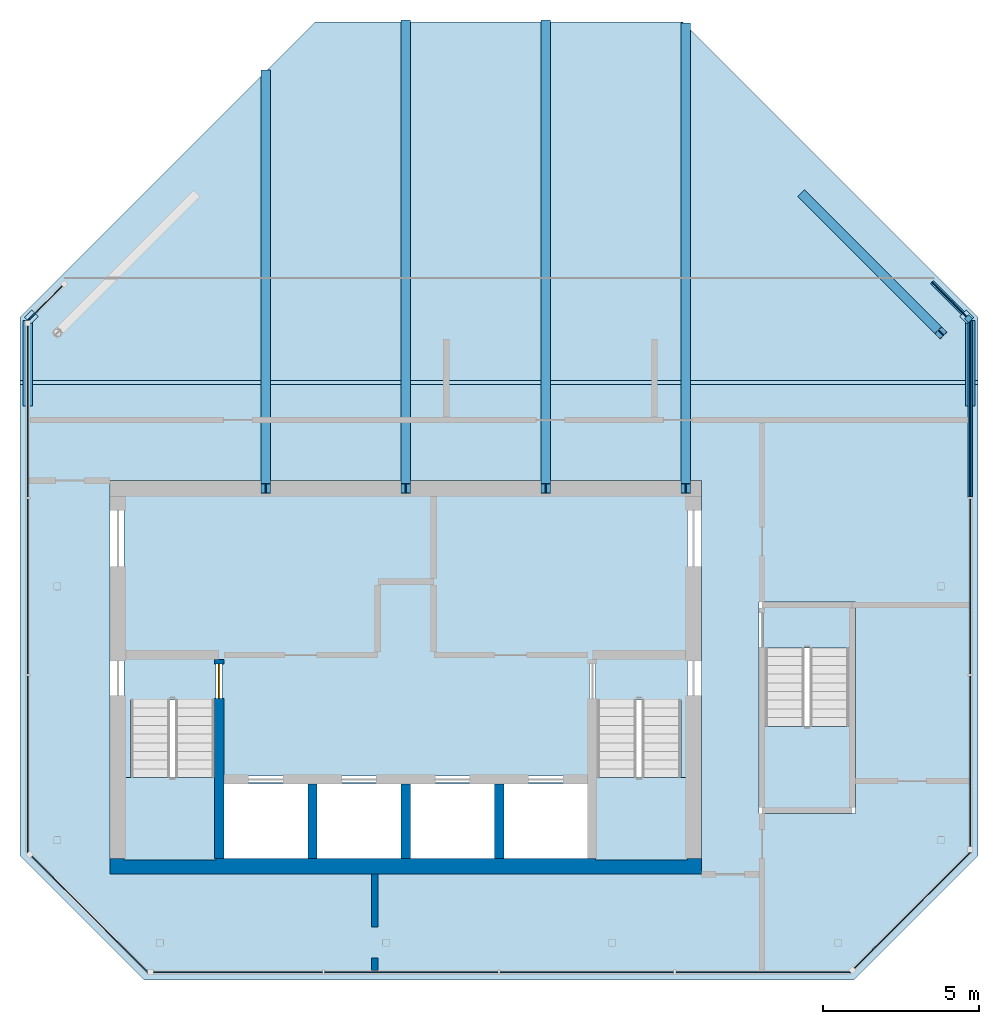
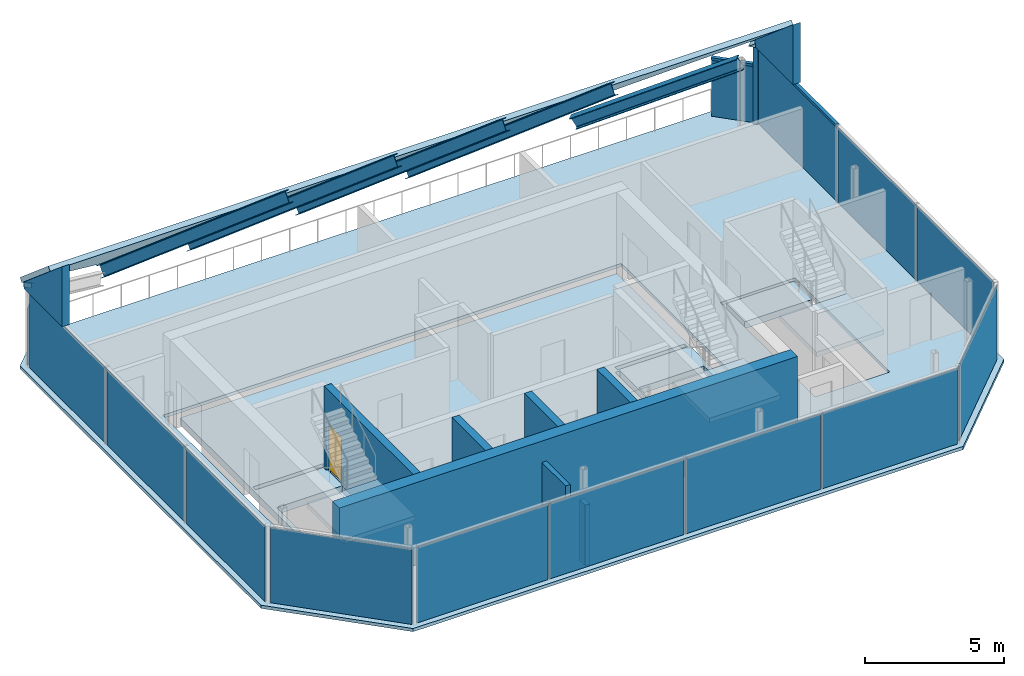
# One storey, part 2 of 5: 18 plates, 7 members, 7 slabs, 7 walls, 1 beam, 1 door, 1 opening, 10 elements without a shape of their own.
"""IFC4 building model written with IfcOpenShell, lengths in metres."""

import ifcopenshell
import ifcopenshell.guid

model = None  # the IFC model being written
_history = None  # IfcOwnerHistory: only IFC2X3 demands one
_inside = {}  # id of a spatial element -> (the spatial element, [elements in it])
_under = {}  # id of a project, library or spatial element -> (it, [spatial elements below it])
_declared = {}  # id of a project -> (the project, [libraries it declares])
_typed = {}  # id of a type object -> (the type object, [elements of that type])
_made_of = {}  # id of a material, layer set ... -> (it, [elements and type objects made of it])


def new_model(schema):
    """Start an empty IFC model of exactly this schema.

    Asked for "IFC4X3", IfcOpenShell would pick the latest addendum, in which some entities
    have other attributes; the version numbers below select the first issue.
    IFC2X3 requires an IfcOwnerHistory on every rooted entity: one is made here for all.
    """
    global model, _history
    if schema == "IFC4X3":
        model = ifcopenshell.file(schema_version=(4, 3, 0, 0))
    else:
        model = ifcopenshell.file(schema=schema)
    _inside.clear()
    _under.clear()
    _declared.clear()
    _typed.clear()
    _made_of.clear()
    _history = None
    if model.schema == "IFC2X3":
        org = make("IfcOrganization", Name="unknown")
        user = make(
            "IfcPersonAndOrganization",
            ThePerson=make("IfcPerson", FamilyName="unknown"),
            TheOrganization=org,
        )
        app = make(
            "IfcApplication",
            ApplicationDeveloper=org,
            Version="unknown",
            ApplicationFullName="unknown",
            ApplicationIdentifier="unknown",
        )
        _history = make(
            "IfcOwnerHistory",
            OwningUser=user,
            OwningApplication=app,
            ChangeAction="ADDED",
            CreationDate=0,
        )
    return model


def make(cls, **values):
    """One entity of the class cls with the attributes given. An attribute that is None is left unset."""
    return model.create_entity(
        cls, **{name: value for name, value in values.items() if value is not None}
    )


def rooted(cls, **values):
    """An entity with a GlobalId (a new one), such as an element, a storey or a relation."""
    return make(cls, GlobalId=ifcopenshell.guid.new(), OwnerHistory=_history, **values)


def si_unit(unit_type, name, prefix=None):
    """IfcSIUnit, for example si_unit("LENGTHUNIT", "METRE", prefix="MILLI")."""
    return make("IfcSIUnit", UnitType=unit_type, Prefix=prefix, Name=name)


def assignment(units):
    """IfcUnitAssignment: the units of a project."""
    return None if units is None else make("IfcUnitAssignment", Units=units)


def point(xyz):
    """IfcCartesianPoint."""
    return None if xyz is None else make("IfcCartesianPoint", Coordinates=xyz)


def direction(xyz):
    """IfcDirection."""
    return None if xyz is None else make("IfcDirection", DirectionRatios=xyz)


def frame(location, z_axis=None, x_axis=None):
    """IfcAxis2Placement3D, a coordinate frame: its origin and axes. An axis left out is left unset."""
    return make(
        "IfcAxis2Placement3D",
        Location=point(location),
        Axis=direction(z_axis),
        RefDirection=direction(x_axis),
    )


def frame_2d(location, x_axis=None):
    """IfcAxis2Placement2D, a coordinate frame in the plane: its origin and x axis."""
    return make(
        "IfcAxis2Placement2D", Location=point(location), RefDirection=direction(x_axis)
    )


def origin():
    """The frame at (0, 0, 0) with its axes left unset."""
    return frame((0.0, 0.0, 0.0))


def origin_2d():
    """The frame at (0, 0) in the plane with its x axis left unset."""
    return frame_2d((0.0, 0.0))


def place(relative_to, where):
    """IfcLocalPlacement: puts the frame where relative to a parent placement (None: the world)."""
    return make(
        "IfcLocalPlacement", PlacementRelTo=relative_to, RelativePlacement=where
    )


def context(
    kind, dimensions, precision=None, world=None, true_north=None, identifier=None
):
    """IfcGeometricRepresentationContext, for example the 3D "Model" context."""
    return make(
        "IfcGeometricRepresentationContext",
        ContextIdentifier=identifier,
        ContextType=kind,
        CoordinateSpaceDimension=dimensions,
        Precision=precision,
        WorldCoordinateSystem=world,
        TrueNorth=true_north,
    )


def subcontext(parent, identifier, kind, view, scale=None):
    """IfcGeometricRepresentationSubContext, for example "Body" below "Model"."""
    return make(
        "IfcGeometricRepresentationSubContext",
        ContextIdentifier=identifier,
        ContextType=kind,
        ParentContext=parent,
        TargetScale=scale,
        TargetView=view,
    )


def project(units=None, contexts=None):
    """IfcProject with its units and contexts."""
    return rooted(
        "IfcProject",
        Name="project",
        RepresentationContexts=contexts,
        UnitsInContext=assignment(units),
    )


def spatial(cls, under=None, at=None, **own):
    """A site, building, storey or space (cls), placed at a placement, below another one or the project."""
    s = rooted(cls, ObjectPlacement=at, **own)
    if under is not None:
        _under.setdefault(under.id(), (under, []))[1].append(s)
    return s


def polyline(points):
    """IfcPolyline through the points."""
    return make("IfcPolyline", Points=[point(p) for p in points])


def profile(cls, at=None, kind="AREA", **sizes):
    """A parametric profile (cls). Its sizes go by their IFC names, for example OverallWidth=200.0."""
    return make(cls, ProfileType=kind, Position=at, **sizes)


def rectangle(**sizes):
    """IfcRectangleProfileDef."""
    return profile("IfcRectangleProfileDef", **sizes)


def i_section(**sizes):
    """IfcIShapeProfileDef."""
    return profile("IfcIShapeProfileDef", **sizes)


def outline(outer, holes=None, kind="AREA"):
    """IfcArbitraryClosedProfileDef: a profile drawn as a closed curve; with holes, ...WithVoids."""
    if holes is None:
        return make("IfcArbitraryClosedProfileDef", ProfileType=kind, OuterCurve=outer)
    return make(
        "IfcArbitraryProfileDefWithVoids",
        ProfileType=kind,
        OuterCurve=outer,
        InnerCurves=holes,
    )


def extrude(swept, where, along, depth):
    """IfcExtrudedAreaSolid: the profile swept, set in the frame where, extruded along a direction by depth."""
    return make(
        "IfcExtrudedAreaSolid",
        SweptArea=swept,
        Position=where,
        ExtrudedDirection=direction(along),
        Depth=depth,
    )


def shape(context_of_items, identifier, shape_type, items):
    """IfcShapeRepresentation: the items that make up one representation, for example the "Body"."""
    return make(
        "IfcShapeRepresentation",
        ContextOfItems=context_of_items,
        RepresentationIdentifier=identifier,
        RepresentationType=shape_type,
        Items=items,
    )


def material(Name=None, Category=None):
    """IfcMaterial."""
    return make("IfcMaterial", Name=Name, Category=Category)


def layer(
    of_material, thickness, ventilated=None, Name=None, Category=None, Priority=None
):
    """IfcMaterialLayer: one layer of a wall or slab, of a material (None: an air gap)."""
    return make(
        "IfcMaterialLayer",
        Material=of_material,
        LayerThickness=thickness,
        IsVentilated=ventilated,
        Name=Name,
        Category=Category,
        Priority=Priority,
    )


def layer_set(layers, Name=None):
    """IfcMaterialLayerSet."""
    return make("IfcMaterialLayerSet", MaterialLayers=layers, LayerSetName=Name)


def material_profile(
    of_material, cross_section, Name=None, Category=None, Priority=None
):
    """IfcMaterialProfile: a cross section and its material."""
    return make(
        "IfcMaterialProfile",
        Name=Name,
        Material=of_material,
        Profile=cross_section,
        Priority=Priority,
        Category=Category,
    )


def profile_set(profiles, Name=None, composite=None):
    """IfcMaterialProfileSet."""
    return make(
        "IfcMaterialProfileSet",
        Name=Name,
        MaterialProfiles=profiles,
        CompositeProfile=composite,
    )


def made_of(thing, what):
    """Note that an element or type object is made of a material, layer set ...; save() writes the relation."""
    if what is not None:
        _made_of.setdefault(what.id(), (what, []))[1].append(thing)
    return thing


def type_object(cls, material=None, **own):
    """A type object (cls), such as IfcWallType, which elements share."""
    return made_of(rooted(cls, **own), material)


def element(
    cls,
    number,
    at=None,
    inside=None,
    cuts=None,
    type_object=None,
    material=None,
    context=None,
    identifier="Body",
    shape_type=None,
    held_by="IfcProductDefinitionShape",
    body=None,
    shapes=None,
    **own,
):
    """One element of the class cls, such as IfcWall. Its Tag is "e" and its number.

    at: its placement. inside: the storey or other place that contains it. cuts: it is an
    opening in that element (IfcRelVoidsElement). A single representation is given by context,
    identifier, shape_type and body (its items); several are given by shapes. held_by: the class
    of the entity that holds the representations. save() writes the other relations.
    """
    e = rooted(cls, Tag="e%d" % number, ObjectPlacement=at, **own)
    if body is not None:
        shapes = [shape(context, identifier, shape_type, body)]
    if shapes is not None:
        e.Representation = make(held_by, Representations=shapes)
    if inside is not None:
        _inside.setdefault(inside.id(), (inside, []))[1].append(e)
    if cuts is not None:
        rooted(
            "IfcRelVoidsElement", RelatingBuildingElement=cuts, RelatedOpeningElement=e
        )
    if type_object is not None:
        _typed.setdefault(type_object.id(), (type_object, []))[1].append(e)
    return made_of(e, material)


def fill(opening, filler):
    """IfcRelFillsElement: the door or window that sits in an opening."""
    return rooted(
        "IfcRelFillsElement",
        RelatingOpeningElement=opening,
        RelatedBuildingElement=filler,
    )


def aggregate(whole, parts):
    """IfcRelAggregates: a whole, such as a stair, and the parts it consists of."""
    return rooted("IfcRelAggregates", RelatingObject=whole, RelatedObjects=parts)


def save(model, path):
    """Write the relations noted so far, then the file.

    IfcRelAggregates (storeys below a building ...), IfcRelContainedInSpatialStructure (elements
    in a storey), IfcRelDefinesByType, IfcRelAssociatesMaterial and IfcRelDeclares: one each for
    every whole, place, type object, material and project.
    """
    for whole, parts in _under.values():
        aggregate(whole, parts)
    for where, things in _inside.values():
        rooted(
            "IfcRelContainedInSpatialStructure",
            RelatedElements=things,
            RelatingStructure=where,
        )
    for kind, things in _typed.values():
        rooted("IfcRelDefinesByType", RelatedObjects=things, RelatingType=kind)
    for what, things in _made_of.values():
        rooted("IfcRelAssociatesMaterial", RelatedObjects=things, RelatingMaterial=what)
    for by, libraries in _declared.values():
        rooted("IfcRelDeclares", RelatingContext=by, RelatedDefinitions=libraries)
    model.write(path)


model = new_model("IFC4")

# Units and contexts
model_context = context("Model", 3, precision=1e-05, world=origin(), true_north=direction((0.0, 1.0)))
body_context = subcontext(model_context, "Body", "Model", "MODEL_VIEW")
ifc_project = project(units=[si_unit("LENGTHUNIT", "METRE"), si_unit("AREAUNIT", "SQUARE_METRE"), si_unit("VOLUMEUNIT", "CUBIC_METRE"), si_unit("PLANEANGLEUNIT", "RADIAN"), si_unit("MASSUNIT", "GRAM", prefix="KILO")], contexts=[model_context])

# Site, building, storey
site_placement = place(None, origin())
site = spatial("IfcSite", under=ifc_project, at=site_placement, CompositionType="ELEMENT")
building_placement = place(site_placement, origin())
building = spatial("IfcBuilding", under=site, at=building_placement, Name="Tskaro Facet Tower", CompositionType="ELEMENT")
storey_placement = place(building_placement, frame((0.0, 0.0, 304.5)))
storey = spatial("IfcBuildingStorey", under=building, at=storey_placement, Name="L82", CompositionType="ELEMENT", Elevation=304.5)

# Curtain wall, member
ifc_material_1 = material(Name="Bronze anodised aluminium 6063-T6", Category="aluminium")
curtain_wall_type = type_object("IfcCurtainWallType", Name="Bronze crown curtain wall (FW5)", PredefinedType="NOTDEFINED", material=ifc_material_1)
curtain_wall_1_placement = place(storey_placement, origin())
curtain_wall_1 = element("IfcCurtainWall", 1, at=curtain_wall_1_placement, inside=storey, type_object=curtain_wall_type, Name="FW5 north-east facet L82", PredefinedType="NOTDEFINED")
ifc_material_profile_1 = material_profile(ifc_material_1, rectangle(XDim=0.179931640625, YDim=0.179931640625, at=origin_2d()), Name="Corner post 180x180")
ifc_profile_set_1 = profile_set([ifc_material_profile_1], Name="Bronze anodised aluminium 6063-T6")
member_type_1 = type_object("IfcMemberType", Name="FW5 bronze corner post 180x180", PredefinedType="MULLION", material=ifc_profile_set_1)
member_1_placement = place(storey_placement, frame((18.08642578125, 5.859619140625, 0.0), z_axis=(0.0, 0.0, 1.0), x_axis=(-0.707106781187, 0.707106781187, 0.0)))
member_1 = element("IfcMember", 2, at=member_1_placement, type_object=member_type_1, Name="FW5 north-east corner post", PredefinedType="MULLION", context=body_context, shape_type="SweptSolid", body=[
    extrude(rectangle(XDim=0.179931640625, YDim=0.179931640625, at=origin_2d()), origin(), (0.0, 0.0, 1.0), 3.39990234375),
])

curtain_wall_2_placement = place(storey_placement, origin())
curtain_wall_2 = element("IfcCurtainWall", 3, at=curtain_wall_2_placement, inside=storey, type_object=curtain_wall_type, Name="FW5 east facet L82", PredefinedType="NOTDEFINED")
ifc_material_profile_2 = material_profile(ifc_material_1, rectangle(XDim=0.139892578125, YDim=0.110107421875, at=origin_2d()), Name="Transom 140x110")
ifc_profile_set_2 = profile_set([ifc_material_profile_2], Name="Bronze anodised aluminium 6063-T6")
member_type_2 = type_object("IfcMemberType", Name="FW5 bronze transom 140x110", PredefinedType="USERDEFINED", material=ifc_profile_set_2)
member_2_placement = place(storey_placement, frame((18.14990234375, 0.133544921875, 3.344970703125), z_axis=(0.0, 1.0, 0.0), x_axis=(-1.0, 0.0, 0.0)))
member_2 = element("IfcMember", 4, at=member_2_placement, type_object=member_type_2, Name="FW5 east transom 3.1", ObjectType="TRANSOM", PredefinedType="USERDEFINED", context=body_context, shape_type="SweptSolid", body=[
    extrude(rectangle(XDim=0.139892578125, YDim=0.110107421875, at=origin_2d()), origin(), (0.0, 0.0, 1.0), 5.662353515625),
])

# Member
member_3_placement = place(storey_placement, frame((18.022705078125, 5.92333984375, 2.54541015625), z_axis=(-0.707106781187, 0.707106781187, 0.0), x_axis=(-0.707106781187, -0.707106781187, 0.0)))
member_3 = element("IfcMember", 5, at=member_3_placement, type_object=member_type_2, Name="FW5 north-east transom 1.1", ObjectType="TRANSOM", PredefinedType="USERDEFINED", context=body_context, shape_type="SweptSolid", body=[
    extrude(rectangle(XDim=0.139892578125, YDim=0.110107421875, at=origin_2d()), origin(), (0.0, 0.0, 1.0), 1.56787109375),
])

# Members
ifc_material_2 = material(Name="Steel S355J2", Category="steel")
ifc_material_profile_3 = material_profile(ifc_material_2, i_section(OverallWidth=0.300048828125, OverallDepth=0.489990234375, WebThickness=0.011962890625, FlangeThickness=0.02294921875, FilletRadius=0.027099609375, at=origin_2d()), Name="HE 500 A")
ifc_profile_set_3 = profile_set([ifc_material_profile_3], Name="Steel S355J2")
member_type_3 = type_object("IfcMemberType", Name="HE 500 A rafter", PredefinedType="RAFTER", material=ifc_profile_set_3)
member_4_placement = place(storey_placement, frame((-4.5, 0.39990234375, 7.966064453125), z_axis=(0.0, 0.761935521736, -0.647652885979), x_axis=(-1.0, 0.0, 0.0)))
element("IfcMember", 6, at=member_4_placement, inside=storey, type_object=member_type_3, Name="HE 500 A RF2-3/6", PredefinedType="RAFTER", context=body_context, shape_type="SweptSolid", body=[
    extrude(i_section(OverallWidth=0.300048828125, OverallDepth=0.489990234375, WebThickness=0.011962890625, FlangeThickness=0.02294921875, FilletRadius=0.027099609375, at=origin_2d()), origin(), (0.0, 0.0, 1.0), 17.45556640625),
])
for number, where, z_axis, x_axis, name in (
    (7, (0.0, 0.39990234375, 7.966064453125), (0.0, 0.761941474004, -0.647645883329), (-1.0, 0.0, 0.0), "HE 500 A RF3-3/6"),
    (8, (4.5, 0.39990234375, 7.966064453125), (0.0, 0.761941474004, -0.647645883329), (-1.0, 0.0, 0.0), "HE 500 A RF4-3/6"),
):
    element("IfcMember", number, at=place(storey_placement, frame(where, z_axis=z_axis, x_axis=x_axis)), inside=storey, type_object=member_type_3, Name=name, PredefinedType="RAFTER", context=body_context, shape_type="SweptSolid", body=[
        extrude(i_section(OverallWidth=0.300048828125, OverallDepth=0.489990234375, WebThickness=0.011962890625, FlangeThickness=0.02294921875, FilletRadius=0.027099609375, at=origin_2d()), origin(), (0.0, 0.0, 1.0), 19.555419921875),
    ])
member_5_placement = place(storey_placement, frame((9.0, 0.39990234375, 7.966064453125), z_axis=(0.0, 0.761938387406, -0.647649514628), x_axis=(-1.0, 0.0, 0.0)))
element("IfcMember", 9, at=member_5_placement, inside=storey, type_object=member_type_3, Name="HE 500 A RF5-3/6", PredefinedType="RAFTER", context=body_context, shape_type="SweptSolid", body=[
    extrude(i_section(OverallWidth=0.300048828125, OverallDepth=0.489990234375, WebThickness=0.011962890625, FlangeThickness=0.02294921875, FilletRadius=0.027099609375, at=origin_2d()), origin(), (0.0, 0.0, 1.0), 19.42431640625),
])

# Beam
ifc_material_profile_4 = material_profile(ifc_material_2, i_section(OverallWidth=0.300048828125, OverallDepth=0.5, WebThickness=0.014404296875, FlangeThickness=0.028076171875, FilletRadius=0.027099609375, at=origin_2d()), Name="HE 500 B")
ifc_profile_set_4 = profile_set([ifc_material_profile_4], Name="Steel S355J2")
beam_type = type_object("IfcBeamType", Name="HE 500 B roof ring beam", PredefinedType="BEAM", material=ifc_profile_set_4)
beam_placement = place(storey_placement, frame((17.199951171875, 5.403076171875, 3.23193359375), z_axis=(-0.605978620508, 0.606113177768, -0.515186109308), x_axis=(-0.707185274473, -0.707028279185, 0.0)))
element("IfcBeam", 10, at=beam_placement, inside=storey, type_object=beam_type, Name="HE 500 B RB7-6", PredefinedType="BEAM", context=body_context, shape_type="SweptSolid", body=[
    extrude(i_section(OverallWidth=0.300048828125, OverallDepth=0.5, WebThickness=0.014404296875, FlangeThickness=0.028076171875, FilletRadius=0.027099609375, at=origin_2d()), origin(), (0.0, 0.0, 1.0), 7.257568359375),
])

# Slab
ifc_material_3 = material(Name="Concrete C30/37", Category="concrete")
ifc_layer_1 = layer(ifc_material_3, 0.139892578125, Name="Concrete C30/37")
ifc_layer_set_1 = layer_set([ifc_layer_1], Name="Concrete C30/37")
slab_type_1 = type_object("IfcSlabType", Name="Composite deck floor slab", PredefinedType="FLOOR", material=ifc_layer_set_1)
slab_1_placement = place(storey_placement, frame((0.0, 0.0, -0.139892578125)))
element("IfcSlab", 11, at=slab_1_placement, inside=storey, type_object=slab_type_1, Name="Floor slab L82", PredefinedType="FLOOR", context=body_context, shape_type="SweptSolid", body=[
    extrude(outline(polyline([(-12.39990234375, 5.89990234375), (-11.01806640625, 7.281982421875), (17.01806640625, 7.281982421875), (18.39990234375, 5.89990234375), (18.39990234375, -11.39990234375), (14.39990234375, -15.39990234375), (-8.39990234375, -15.39990234375), (-12.39990234375, -11.39990234375), (-12.39990234375, 5.89990234375)]), holes=[polyline([(9.5, 0.64990234375), (-9.5, 0.64990234375), (-9.5, -12.0), (9.5, -12.0), (9.5, 0.64990234375)]), polyline([(14.449951171875, -10.050048828125), (14.449951171875, -3.25), (11.35009765625, -3.25), (11.35009765625, -10.050048828125), (14.449951171875, -10.050048828125)])]), origin(), (0.0, 0.0, 1.0), 0.139892578125),
])

# Plates
ifc_material_4 = material(Name="Bronze anodised aluminium cladding 5005-H34", Category="aluminium")
ifc_layer_2 = layer(ifc_material_4, 0.300048828125, Name="Bronze anodised aluminium cladding 5005-H34")
ifc_layer_set_2 = layer_set([ifc_layer_2], Name="Bronze anodised aluminium cladding 5005-H34")
plate_type_1 = type_object("IfcPlateType", Name="Crown cladding panel", PredefinedType="SHEET", material=ifc_layer_set_2)
plate_1_placement = place(storey_placement, frame((18.14990234375, 3.052001953125, 3.39990234375), z_axis=(0.0, 0.0, 1.0), x_axis=(0.0, 1.0, 0.0)))
element("IfcPlate", 12, at=plate_1_placement, inside=storey, type_object=plate_type_1, Name="Crown cladding panel east L82", PredefinedType="SHEET", context=body_context, shape_type="SweptSolid", body=[
    extrude(outline(polyline([(0.0, 0.0), (2.743896484375, 0.0), (2.743896484375, 0.301025390625), (0.0, 2.63330078125), (0.0, 0.0)])), frame((0.0, 0.14990234375, 0.0), z_axis=(0.0, -1.0, 0.0), x_axis=(1.0, 0.0, 0.0)), (0.0, 0.0, 1.0), 0.300048828125),
])
plate_2_placement = place(storey_placement, frame((18.14990234375, 5.7958984375, 3.39990234375), z_axis=(0.0, 0.0, 1.0), x_axis=(-0.706741634458, 0.707471739452, 0.0)))
element("IfcPlate", 13, at=plate_2_placement, inside=storey, type_object=plate_type_1, Name="Crown cladding panel north-east L82", PredefinedType="SHEET", context=body_context, shape_type="SweptSolid", body=[
    extrude(outline(polyline([(0.0, 0.0), (0.33447265625, 0.0), (0.334228515625, 0.010009765625), (0.0, 0.2109375), (0.0, 0.0)])), frame((0.0, 0.14990234375, 0.0), z_axis=(0.0, -1.0, 0.0), x_axis=(1.0, 0.0, 0.0)), (0.0, 0.0, 1.0), 0.300048828125),
])
plate_3_placement = place(storey_placement, frame((-11.91357421875, 6.032470703125, 3.39990234375), z_axis=(0.0, 0.0, 1.0), x_axis=(-0.706741634458, -0.707471739452, 0.0)))
element("IfcPlate", 14, at=plate_3_placement, inside=storey, type_object=plate_type_1, Name="Crown cladding panel north-west L82", PredefinedType="SHEET", context=body_context, shape_type="SweptSolid", body=[
    extrude(outline(polyline([(0.0, 0.0), (0.33447265625, 0.0), (0.334228515625, 0.2109375), (0.0, 0.010009765625), (0.0, 0.0)])), frame((0.0, 0.14990234375, 0.0), z_axis=(0.0, -1.0, 0.0), x_axis=(1.0, 0.0, 0.0)), (0.0, 0.0, 1.0), 0.300048828125),
])
plate_4_placement = place(storey_placement, frame((-12.14990234375, 5.7958984375, 3.39990234375), z_axis=(0.0, 0.0, 1.0), x_axis=(0.0, -1.0, 0.0)))
element("IfcPlate", 15, at=plate_4_placement, inside=storey, type_object=plate_type_1, Name="Crown cladding panel west L82", PredefinedType="SHEET", context=body_context, shape_type="SweptSolid", body=[
    extrude(outline(polyline([(0.0, 0.0), (2.743896484375, 0.0), (2.743896484375, 2.63330078125), (0.0, 0.301025390625), (0.0, 0.0)])), frame((0.0, 0.14990234375, 0.0), z_axis=(0.0, -1.0, 0.0), x_axis=(1.0, 0.0, 0.0)), (0.0, 0.0, 1.0), 0.300048828125),
])

# Slab
ifc_layer_3 = layer(ifc_material_4, 0.199951171875, Name="Bronze anodised aluminium cladding 5005-H34")
ifc_layer_set_3 = layer_set([ifc_layer_3], Name="Bronze anodised aluminium cladding 5005-H34")
slab_type_2 = type_object("IfcSlabType", Name="Crown roof cladding panel", PredefinedType="ROOF", material=ifc_layer_set_3)
slab_2_placement = place(storey_placement, frame((-12.39990234375, 5.89990234375, 3.875), z_axis=(0.0, 0.64764919448, 0.761938659532), x_axis=(0.606061578617, 0.606059517875, -0.515151651184)))
element("IfcSlab", 16, at=slab_2_placement, inside=storey, type_object=slab_type_2, Name="Crown roof cladding 6", PredefinedType="ROOF", context=body_context, shape_type="SweptSolid", body=[
    extrude(outline(polyline([(0.0, 0.0), (15.674974846093942, 4.440892098500626e-16), (22.826383102368357, -9.38577384211004), (18.666578249990796, -24.49871068495478), (16.54401423544099, -26.11597976403904), (-2.1225640145498046, -1.6172690790842599), (0.0, 0.0)])), origin(), (0.0, 0.0, -1.0), 0.199951171875),
])

# Curtain wall, plates
curtain_wall_3_placement = place(storey_placement, origin())
curtain_wall_3 = element("IfcCurtainWall", 17, at=curtain_wall_3_placement, inside=storey, type_object=curtain_wall_type, Name="FW5 south facet L82", PredefinedType="NOTDEFINED")
ifc_material_5 = material(Name="Bronze reflective glass", Category="glass")
ifc_layer_4 = layer(ifc_material_5, 0.033935546875, Name="Bronze reflective glass")
ifc_layer_set_4 = layer_set([ifc_layer_4], Name="Bronze reflective glass")
plate_type_2 = type_object("IfcPlateType", Name="FW5 bronze-tinted unit glazing 34", PredefinedType="CURTAIN_PANEL", material=ifc_layer_set_4)
plate_5_placement = place(storey_placement, frame((-5.3994140625, -15.14990234375, 0.0), z_axis=(0.0, 0.0, 1.0), x_axis=(1.0, 0.0, 0.0)))
plate_5 = element("IfcPlate", 18, at=plate_5_placement, type_object=plate_type_2, Name="FW5 south glazing 1.1", PredefinedType="CURTAIN_PANEL", context=body_context, shape_type="SweptSolid", body=[
    extrude(rectangle(XDim=5.43310546875, YDim=0.033935546875, at=origin_2d()), origin(), (0.0, 0.0, 1.0), 3.2900390625),
])
plate_6_placement = place(storey_placement, frame((0.176025390625, -15.14990234375, 0.0), z_axis=(0.0, 0.0, 1.0), x_axis=(1.0, 0.0, 0.0)))
plate_6 = element("IfcPlate", 19, at=plate_6_placement, type_object=plate_type_2, Name="FW5 south glazing 2.1", PredefinedType="CURTAIN_PANEL", context=body_context, shape_type="SweptSolid", body=[
    extrude(rectangle(XDim=5.577880859375, YDim=0.033935546875, at=origin_2d()), origin(), (0.0, 0.0, 1.0), 3.2900390625),
])
plate_7_placement = place(storey_placement, frame((5.823974609375, -15.14990234375, 0.0), z_axis=(0.0, 0.0, 1.0), x_axis=(1.0, 0.0, 0.0)))
plate_7 = element("IfcPlate", 20, at=plate_7_placement, type_object=plate_type_2, Name="FW5 south glazing 3.1", PredefinedType="CURTAIN_PANEL", context=body_context, shape_type="SweptSolid", body=[
    extrude(rectangle(XDim=5.577880859375, YDim=0.033935546875, at=origin_2d()), origin(), (0.0, 0.0, 1.0), 3.2900390625),
])
plate_8_placement = place(storey_placement, frame((11.489501953125, -15.14990234375, 0.0), z_axis=(0.0, 0.0, 1.0), x_axis=(1.0, 0.0, 0.0)))
plate_8 = element("IfcPlate", 21, at=plate_8_placement, type_object=plate_type_2, Name="FW5 south glazing 4.1", PredefinedType="CURTAIN_PANEL", context=body_context, shape_type="SweptSolid", body=[
    extrude(rectangle(XDim=5.613037109375, YDim=0.033935546875, at=origin_2d()), origin(), (0.0, 0.0, 1.0), 3.2900390625),
])
aggregate(curtain_wall_3, [plate_5, plate_6, plate_7, plate_8])

# Curtain wall, plate
curtain_wall_4_placement = place(storey_placement, origin())
curtain_wall_4 = element("IfcCurtainWall", 22, at=curtain_wall_4_placement, inside=storey, type_object=curtain_wall_type, Name="FW5 south-east facet L82", PredefinedType="NOTDEFINED")
plate_9_placement = place(storey_placement, frame((16.28662109375, -13.159423828125, 0.0), z_axis=(0.0, 0.0, 1.0), x_axis=(0.707106781187, 0.707106781187, 0.0)))
plate_9 = element("IfcPlate", 23, at=plate_9_placement, type_object=plate_type_2, Name="FW5 south-east glazing 1.1", PredefinedType="CURTAIN_PANEL", context=body_context, shape_type="SweptSolid", body=[
    extrude(rectangle(XDim=5.270263671875, YDim=0.033935546875, at=origin_2d()), origin(), (0.0, 0.0, 1.0), 3.2900390625),
])
aggregate(curtain_wall_4, [plate_9])

# Plate
plate_10_placement = place(storey_placement, frame((18.14990234375, -8.374755859375, 0.0), z_axis=(0.0, 0.0, 1.0), x_axis=(0.0, 1.0, 0.0)))
plate_10 = element("IfcPlate", 24, at=plate_10_placement, type_object=plate_type_2, Name="FW5 east glazing 1.1", PredefinedType="CURTAIN_PANEL", context=body_context, shape_type="SweptSolid", body=[
    extrude(rectangle(XDim=5.482421875, YDim=0.033935546875, at=origin_2d()), origin(), (0.0, 0.0, 1.0), 3.2900390625),
])

plate_11_placement = place(storey_placement, frame((18.14990234375, -2.75, 0.0), z_axis=(0.0, 0.0, 1.0), x_axis=(0.0, 1.0, 0.0)))
plate_11 = element("IfcPlate", 25, at=plate_11_placement, type_object=plate_type_2, Name="FW5 east glazing 2.1", PredefinedType="CURTAIN_PANEL", context=body_context, shape_type="SweptSolid", body=[
    extrude(rectangle(XDim=5.62744140625, YDim=0.033935546875, at=origin_2d()), origin(), (0.0, 0.0, 1.0), 3.2900390625),
])

plate_12_placement = place(storey_placement, frame((18.14990234375, 2.96484375, 0.0), z_axis=(0.0, 0.0, 1.0), x_axis=(0.0, 1.0, 0.0)))
plate_12 = element("IfcPlate", 26, at=plate_12_placement, type_object=plate_type_2, Name="FW5 east glazing 3.1", PredefinedType="CURTAIN_PANEL", context=body_context, shape_type="SweptSolid", body=[
    extrude(rectangle(XDim=5.662353515625, YDim=0.033935546875, at=origin_2d()), origin(), (0.0, 0.0, 1.0), 3.2900390625),
])

aggregate(curtain_wall_2, [plate_10, plate_11, member_2, plate_12])

plate_13_placement = place(storey_placement, frame((17.46826171875, 6.4775390625, 0.0), z_axis=(0.0, 0.0, 1.0), x_axis=(-0.707106781187, 0.707106781187, 0.0)))
plate_13 = element("IfcPlate", 27, at=plate_13_placement, type_object=plate_type_2, Name="FW5 north-east glazing 1.1", PredefinedType="CURTAIN_PANEL", context=body_context, shape_type="SweptSolid", body=[
    extrude(rectangle(XDim=1.56787109375, YDim=0.033935546875, at=origin_2d()), origin(), (0.0, 0.0, 1.0), 2.490234375),
])

aggregate(curtain_wall_1, [member_1, member_3, plate_13])

# Curtain wall, plate
curtain_wall_5_placement = place(storey_placement, origin())
curtain_wall_5 = element("IfcCurtainWall", 28, at=curtain_wall_5_placement, inside=storey, type_object=curtain_wall_type, Name="FW5 north-west facet L82", PredefinedType="NOTDEFINED")
plate_14_placement = place(storey_placement, frame((-11.595703125, 6.350341796875, 0.0), z_axis=(0.0, 0.0, 1.0), x_axis=(-0.707106781187, -0.707106781187, 0.0)))
plate_14 = element("IfcPlate", 29, at=plate_14_placement, type_object=plate_type_2, Name="FW5 north-west glazing 1.1", PredefinedType="CURTAIN_PANEL", context=body_context, shape_type="SweptSolid", body=[
    extrude(rectangle(XDim=1.56787109375, YDim=0.033935546875, at=origin_2d()), origin(), (0.0, 0.0, 1.0), 2.490234375),
])
aggregate(curtain_wall_5, [plate_14])

# Curtain wall, plates
curtain_wall_6_placement = place(storey_placement, origin())
curtain_wall_6 = element("IfcCurtainWall", 30, at=curtain_wall_6_placement, inside=storey, type_object=curtain_wall_type, Name="FW5 west facet L82", PredefinedType="NOTDEFINED")
plate_15_placement = place(storey_placement, frame((-12.14990234375, 2.874755859375, 0.0), z_axis=(0.0, 0.0, 1.0), x_axis=(0.0, -1.0, 0.0)))
plate_15 = element("IfcPlate", 31, at=plate_15_placement, type_object=plate_type_2, Name="FW5 west glazing 1.1", PredefinedType="CURTAIN_PANEL", context=body_context, shape_type="SweptSolid", body=[
    extrude(rectangle(XDim=5.482421875, YDim=0.033935546875, at=origin_2d()), origin(), (0.0, 0.0, 1.0), 3.2900390625),
])
plate_16_placement = place(storey_placement, frame((-12.14990234375, -2.75, 0.0), z_axis=(0.0, 0.0, 1.0), x_axis=(0.0, -1.0, 0.0)))
plate_16 = element("IfcPlate", 32, at=plate_16_placement, type_object=plate_type_2, Name="FW5 west glazing 2.1", PredefinedType="CURTAIN_PANEL", context=body_context, shape_type="SweptSolid", body=[
    extrude(rectangle(XDim=5.62744140625, YDim=0.033935546875, at=origin_2d()), origin(), (0.0, 0.0, 1.0), 3.2900390625),
])
plate_17_placement = place(storey_placement, frame((-12.14990234375, -8.46484375, 0.0), z_axis=(0.0, 0.0, 1.0), x_axis=(0.0, -1.0, 0.0)))
plate_17 = element("IfcPlate", 33, at=plate_17_placement, type_object=plate_type_2, Name="FW5 west glazing 3.1", PredefinedType="CURTAIN_PANEL", context=body_context, shape_type="SweptSolid", body=[
    extrude(rectangle(XDim=5.662353515625, YDim=0.033935546875, at=origin_2d()), origin(), (0.0, 0.0, 1.0), 3.2900390625),
])
aggregate(curtain_wall_6, [plate_15, plate_16, plate_17])

# Curtain wall, plate
curtain_wall_7_placement = place(storey_placement, origin())
curtain_wall_7 = element("IfcCurtainWall", 34, at=curtain_wall_7_placement, inside=storey, type_object=curtain_wall_type, Name="FW5 south-west facet L82", PredefinedType="NOTDEFINED")
plate_18_placement = place(storey_placement, frame((-10.159423828125, -13.28662109375, 0.0), z_axis=(0.0, 0.0, 1.0), x_axis=(0.707106781187, -0.707106781187, 0.0)))
plate_18 = element("IfcPlate", 35, at=plate_18_placement, type_object=plate_type_2, Name="FW5 south-west glazing 1.1", PredefinedType="CURTAIN_PANEL", context=body_context, shape_type="SweptSolid", body=[
    extrude(rectangle(XDim=5.270263671875, YDim=0.033935546875, at=origin_2d()), origin(), (0.0, 0.0, 1.0), 3.2900390625),
])
aggregate(curtain_wall_7, [plate_18])

# Stair, slab
ifc_material_6 = material(Name="Concrete C40/50", Category="concrete")
stair_type = type_object("IfcStairType", Name="ST-TWR", PredefinedType="HALF_TURN_STAIR", material=ifc_material_6)
stair_1_placement = place(storey_placement, origin())
stair_1 = element("IfcStair", 36, at=stair_1_placement, inside=storey, type_object=stair_type, Name="L82 Exit stair 1", PredefinedType="HALF_TURN_STAIR")
ifc_layer_5 = layer(ifc_material_6, 0.199951171875, Name="Concrete C40/50")
ifc_layer_set_5 = layer_set([ifc_layer_5], Name="Concrete C40/50")
slab_type_3 = type_object("IfcSlabType", Name="SL-LANDING", PredefinedType="LANDING", material=ifc_layer_set_5)
slab_3_placement = place(storey_placement, frame((0.0, 0.0, 1.60009765625)))
slab_3 = element("IfcSlab", 37, at=slab_3_placement, type_object=slab_type_3, Name="ST-1 landing 1", PredefinedType="LANDING", context=body_context, shape_type="SweptSolid", body=[
    extrude(outline(polyline([(-9.050048828125, -11.550048828125), (-6.10009765625, -11.550048828125), (-6.10009765625, -8.89501953125), (-9.050048828125, -8.89501953125), (-9.050048828125, -11.550048828125)])), origin(), (0.0, 0.0, 1.0), 0.199951171875),
])
aggregate(stair_1, [slab_3])

stair_2_placement = place(storey_placement, origin())
stair_2 = element("IfcStair", 38, at=stair_2_placement, inside=storey, type_object=stair_type, Name="L82 Exit stair 2", PredefinedType="HALF_TURN_STAIR")
slab_4_placement = place(storey_placement, frame((0.0, 0.0, 1.60009765625)))
slab_4 = element("IfcSlab", 39, at=slab_4_placement, type_object=slab_type_3, Name="ST-2 landing 1", PredefinedType="LANDING", context=body_context, shape_type="SweptSolid", body=[
    extrude(outline(polyline([(6.10009765625, -11.550048828125), (9.050048828125, -11.550048828125), (9.050048828125, -8.89501953125), (6.10009765625, -8.89501953125), (6.10009765625, -11.550048828125)])), origin(), (0.0, 0.0, 1.0), 0.199951171875),
])
aggregate(stair_2, [slab_4])

stair_3_placement = place(storey_placement, origin())
stair_3 = element("IfcStair", 40, at=stair_3_placement, inside=storey, type_object=stair_type, Name="L82 Exit stair 4", PredefinedType="HALF_TURN_STAIR")
slab_5_placement = place(storey_placement, frame((0.0, 0.0, 1.60009765625)))
slab_5 = element("IfcSlab", 41, at=slab_5_placement, type_object=slab_type_3, Name="ST-4 landing 1", PredefinedType="LANDING", context=body_context, shape_type="SweptSolid", body=[
    extrude(outline(polyline([(11.5, -9.89990234375), (14.300048828125, -9.89990234375), (14.300048828125, -7.2451171875), (11.5, -7.2451171875), (11.5, -9.89990234375)])), origin(), (0.0, 0.0, 1.0), 0.199951171875),
])
aggregate(stair_3, [slab_5])

# Slabs
ifc_material_7 = material(Name="Concrete C60/75", Category="concrete")
ifc_layer_6 = layer(ifc_material_7, 0.300048828125, Name="Concrete C60/75")
ifc_layer_set_6 = layer_set([ifc_layer_6], Name="Concrete C60/75")
slab_type_4 = type_object("IfcSlabType", Name="SLAB-CORE", PredefinedType="FLOOR", material=ifc_layer_set_6)
slab_6_placement = place(storey_placement, frame((0.0, 0.0, -0.300048828125)))
element("IfcSlab", 42, at=slab_6_placement, inside=storey, type_object=slab_type_4, Name="Core floor slab 1", PredefinedType="FLOOR", context=body_context, shape_type="SweptSolid", body=[
    extrude(outline(polyline([(-9.050048828125, 0.199951171875), (9.050048828125, 0.199951171875), (9.050048828125, 0.10009765625), (9.050048828125, -11.449951171875), (9.050048828125, -11.550048828125), (-9.050048828125, -11.550048828125), (-9.050048828125, -11.449951171875), (-9.050048828125, 0.10009765625), (-9.050048828125, 0.199951171875)]), holes=[polyline([(-5.85009765625, -11.5), (-3.14990234375, -11.5), (-3.14990234375, -9.10009765625), (-5.85009765625, -9.10009765625), (-5.85009765625, -11.5)]), polyline([(-2.89990234375, -11.449951171875), (-2.89990234375, -9.14990234375), (-3.10009765625, -9.14990234375), (-3.10009765625, -11.449951171875), (-2.89990234375, -11.449951171875)]), polyline([(-2.85009765625, -9.10009765625), (-2.85009765625, -11.5), (-0.14990234375, -11.5), (-0.14990234375, -9.10009765625), (-2.85009765625, -9.10009765625)]), polyline([(-0.10009765625, -11.449951171875), (0.10009765625, -11.449951171875), (0.10009765625, -9.14990234375), (-0.10009765625, -9.14990234375), (-0.10009765625, -11.449951171875)]), polyline([(5.800048828125, -9.050048828125), (5.800048828125, -8.85009765625), (-5.800048828125, -8.85009765625), (-5.800048828125, -9.050048828125), (5.800048828125, -9.050048828125)]), polyline([(-5.89990234375, -11.449951171875), (-5.89990234375, -5.14990234375), (-6.10009765625, -5.14990234375), (-6.10009765625, -11.449951171875), (-5.89990234375, -11.449951171875)]), polyline([(-8.949951171875, -5.050048828125), (-6.050048828125, -5.050048828125), (-6.050048828125, -4.85009765625), (-8.949951171875, -4.85009765625), (-8.949951171875, -5.050048828125)]), polyline([(0.14990234375, -11.5), (2.85009765625, -11.5), (2.85009765625, -9.10009765625), (0.14990234375, -9.10009765625), (0.14990234375, -11.5)]), polyline([(3.10009765625, -11.449951171875), (3.10009765625, -9.14990234375), (2.89990234375, -9.14990234375), (2.89990234375, -11.449951171875), (3.10009765625, -11.449951171875)]), polyline([(3.14990234375, -11.5), (5.85009765625, -11.5), (5.85009765625, -9.10009765625), (3.14990234375, -9.10009765625), (3.14990234375, -11.5)]), polyline([(5.89990234375, -11.449951171875), (6.10009765625, -11.449951171875), (6.10009765625, -5.14990234375), (5.89990234375, -5.14990234375), (5.89990234375, -11.449951171875)]), polyline([(6.050048828125, -5.050048828125), (8.949951171875, -5.050048828125), (8.949951171875, -4.85009765625), (6.050048828125, -4.85009765625), (6.050048828125, -5.050048828125)]), polyline([(-8.85009765625, -11.5), (-6.14990234375, -11.5), (-6.14990234375, -6.39501953125), (-8.85009765625, -6.39501953125), (-8.85009765625, -11.5)]), polyline([(6.14990234375, -6.39501953125), (6.14990234375, -11.5), (8.85009765625, -11.5), (8.85009765625, -6.39501953125), (6.14990234375, -6.39501953125)])]), origin(), (0.0, 0.0, 1.0), 0.300048828125),
])
slab_7_placement = place(storey_placement, frame((0.0, 0.0, -0.300048828125)))
element("IfcSlab", 43, at=slab_7_placement, inside=storey, type_object=slab_type_4, Name="Stair 4 floor landing 1", PredefinedType="FLOOR", context=body_context, shape_type="SweptSolid", body=[
    extrude(outline(polyline([(11.5, -4.72509765625), (14.300048828125, -4.72509765625), (14.300048828125, -3.39990234375), (11.5, -3.39990234375), (11.5, -4.72509765625)])), origin(), (0.0, 0.0, 1.0), 0.300048828125),
])

# Wall, opening, door
ifc_layer_7 = layer(ifc_material_7, 0.300048828125, Name="Concrete C60/75")
ifc_layer_set_7 = layer_set([ifc_layer_7], Name="Concrete C60/75")
wall_type_1 = type_object("IfcWallType", Name="CORE-SHAFT", PredefinedType="SHEAR", material=ifc_layer_set_7)
wall_1_placement = place(storey_placement, frame((-6.0, -11.5, 0.0), z_axis=(0.0, 0.0, 1.0), x_axis=(0.0, 1.0, 0.0)))
wall_1 = element("IfcWall", 44, at=wall_1_placement, inside=storey, type_object=wall_type_1, Name="Shaft wall W014", PredefinedType="SHEAR", context=body_context, shape_type="SweptSolid", body=[
    extrude(rectangle(XDim=6.39990234375, YDim=0.300048828125, at=frame_2d((3.199951171875, 0.0))), origin(), (0.0, 0.0, 1.0), 3.60009765625),
])
opening_placement = place(wall_1_placement, frame((5.14990234375, 0.0, 0.0)))
opening = element("IfcOpeningElement", 45, at=opening_placement, cuts=wall_1, Name="Opening ST-1-D1", PredefinedType="OPENING", context=body_context, shape_type="SweptSolid", body=[
    extrude(rectangle(XDim=1.10009765625, YDim=2.10009765625, at=frame_2d((0.550048828125, 1.050048828125))), frame((0.0, 0.159912109375, 0.0), z_axis=(0.0, -1.0, 0.0), x_axis=(1.0, 0.0, 0.0)), (0.0, 0.0, 1.0), 0.320068359375),
])
ifc_material_8 = material(Name="Steel", Category="steel")
door_type = type_object("IfcDoorType", Name="D-STAIR", OperationType="NOTDEFINED", PredefinedType="DOOR", material=ifc_material_8)
door_placement = place(opening_placement, origin())
door = element("IfcDoor", 46, at=door_placement, inside=storey, type_object=door_type, Name="Stair door 1", OperationType="SINGLE_SWING_LEFT", OverallHeight=2.10009765625, OverallWidth=1.10009765625, PredefinedType="DOOR", context=body_context, shape_type="SweptSolid", body=[
    extrude(rectangle(XDim=1.10009765625, YDim=2.10009765625, at=frame_2d((0.550048828125, 1.050048828125))), frame((0.0, 0.02490234375, 0.0), z_axis=(0.0, -1.0, 0.0), x_axis=(1.0, 0.0, 0.0)), (0.0, 0.0, 1.0), 0.050048828125),
])
fill(opening, door)

# Walls
for number, where, z_axis, x_axis, name in (
    (47, (-3.0, -11.5, 0.0), (0.0, 0.0, 1.0), (0.0, 1.0, 0.0), "Shaft wall W015"),
    (48, (0.0, -11.5, 0.0), (0.0, 0.0, 1.0), (0.0, 1.0, 0.0), "Shaft wall W019"),
    (49, (3.0, -11.5, 0.0), (0.0, 0.0, 1.0), (0.0, 1.0, 0.0), "Shaft wall W023"),
):
    element("IfcWall", number, at=place(storey_placement, frame(where, z_axis=z_axis, x_axis=x_axis)), inside=storey, type_object=wall_type_1, Name=name, PredefinedType="SHEAR", context=body_context, shape_type="SweptSolid", body=[
        extrude(rectangle(XDim=2.39990234375, YDim=0.300048828125, at=frame_2d((1.199951171875, 0.0))), origin(), (0.0, 0.0, 1.0), 3.60009765625),
    ])
ifc_layer_8 = layer(ifc_material_6, 0.5, Name="Concrete C40/50")
ifc_layer_set_8 = layer_set([ifc_layer_8], Name="Concrete C40/50")
wall_type_2 = type_object("IfcWallType", Name="Core wall 500", PredefinedType="SHEAR", material=ifc_layer_set_8)
wall_2_placement = place(storey_placement, frame((-9.5, -11.75, 0.0), z_axis=(0.0, 0.0, 1.0), x_axis=(1.0, 0.0, 0.0)))
element("IfcWall", 50, at=wall_2_placement, inside=storey, type_object=wall_type_2, Name="Core wall CW-Z3S", PredefinedType="SHEAR", context=body_context, shape_type="SweptSolid", body=[
    extrude(outline(polyline([(0.0, 0.0), (19.0, 0.0), (19.0, 3.60009765625), (0.0, 3.60009765625), (0.0, 0.0)])), frame((0.0, 0.25, 0.0), z_axis=(0.0, -1.0, 0.0), x_axis=(1.0, 0.0, 0.0)), (0.0, 0.0, 1.0), 0.5),
])
ifc_material_9 = material(Name="Concrete C20/25", Category="concrete")
ifc_layer_9 = layer(ifc_material_9, 0.199951171875, Name="Concrete C20/25")
ifc_layer_set_9 = layer_set([ifc_layer_9], Name="Concrete C20/25")
wall_type_3 = type_object("IfcWallType", Name="WALL-RISER", PredefinedType="SOLIDWALL", material=ifc_layer_set_9)
wall_3_placement = place(storey_placement, frame((-1.0, -15.10009765625, 0.0), z_axis=(0.0, 0.0, 1.0), x_axis=(0.0, 1.0, 0.0)))
element("IfcWall", 51, at=wall_3_placement, inside=storey, type_object=wall_type_3, Name="Riser room wall W016", PredefinedType="SOLIDWALL", context=body_context, shape_type="SweptSolid", body=[
    extrude(rectangle(XDim=0.400146484375, YDim=0.199951171875, at=frame_2d((0.2001953125, 0.0))), origin(), (0.0, 0.0, 1.0), 2.659912109375),
])
wall_4_placement = place(storey_placement, frame((-1.0, -13.699951171875, 0.0), z_axis=(0.0, 0.0, 1.0), x_axis=(0.0, 1.0, 0.0)))
element("IfcWall", 52, at=wall_4_placement, inside=storey, type_object=wall_type_3, Name="Riser room wall W017", PredefinedType="SOLIDWALL", context=body_context, shape_type="SweptSolid", body=[
    extrude(rectangle(XDim=1.699951171875, YDim=0.199951171875, at=frame_2d((0.85009765625, 0.0))), origin(), (0.0, 0.0, 1.0), 2.659912109375),
])

save(model, "model.ifc")
